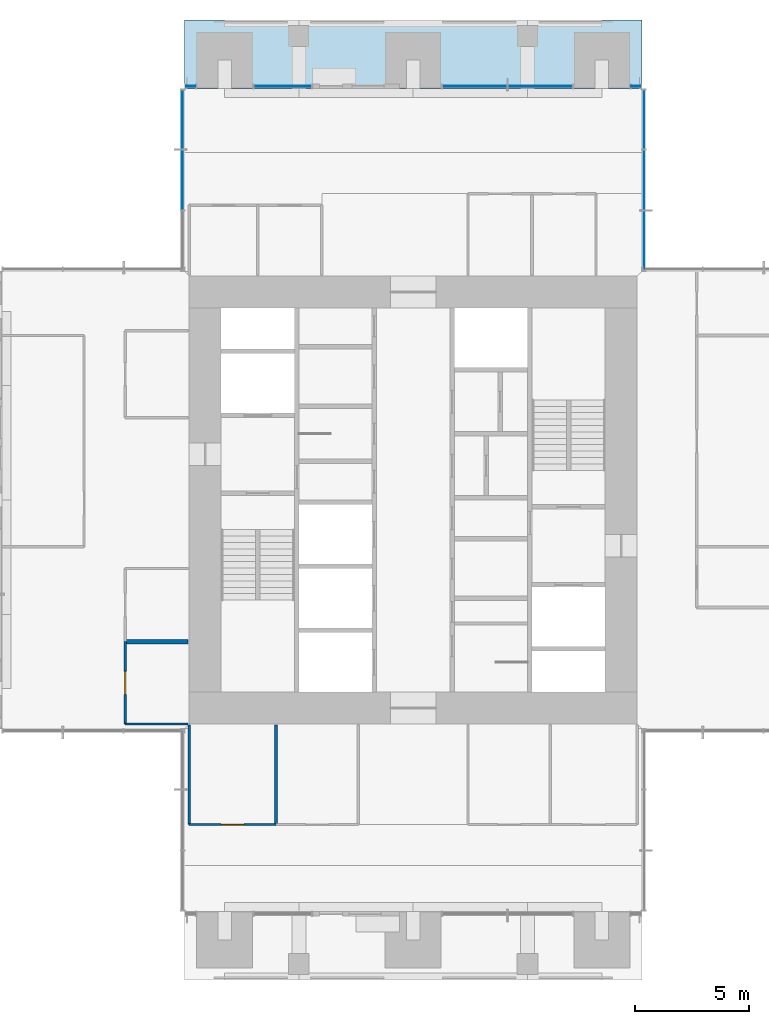
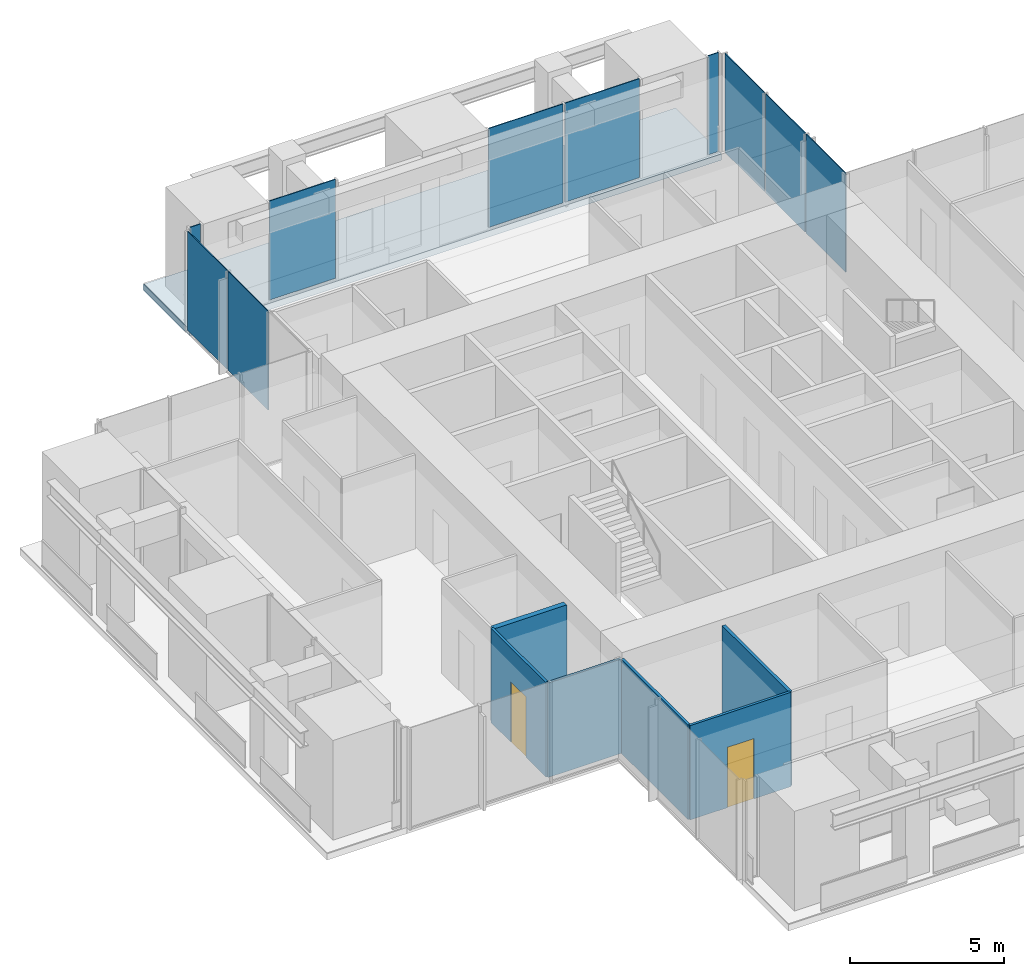
# One storey, part 11 of 17: 10 plates, 6 walls, 2 doors, 1 slab, 2 openings, 6 elements without a shape of their own.
"""IFC4 building model written with IfcOpenShell, lengths in metres."""

from ifc_helpers import new_model, si_unit, direction, frame, frame_2d, origin, origin_2d, place, context, subcontext, project, spatial, polyline, rectangle, outline, extrude, material, layer, layer_set, type_object, element, fill, aggregate, save


model = new_model("IFC4")

# Units and contexts
model_context = context("Model", 3, precision=1e-05, world=origin(), true_north=direction((0.0, 1.0)))
body_context = subcontext(model_context, "Body", "Model", "MODEL_VIEW")
ifc_project = project(units=[si_unit("LENGTHUNIT", "METRE"), si_unit("AREAUNIT", "SQUARE_METRE"), si_unit("VOLUMEUNIT", "CUBIC_METRE"), si_unit("PLANEANGLEUNIT", "RADIAN"), si_unit("MASSUNIT", "GRAM", prefix="KILO")], contexts=[model_context])

# Site, building, storey
site_placement = place(None, origin())
site = spatial("IfcSite", under=ifc_project, at=site_placement, CompositionType="ELEMENT")
building_placement = place(site_placement, origin())
building = spatial("IfcBuilding", under=site, at=building_placement, Name="Svetlomir Tower", CompositionType="ELEMENT")
storey_placement = place(building_placement, frame((0.0, 0.0, 206.5)))
storey = spatial("IfcBuildingStorey", under=building, at=storey_placement, Name="L49", CompositionType="ELEMENT", Elevation=206.5)

# Curtain wall, plates
ifc_material_1 = material(Name="Bronze anodised aluminium curtain wall", Category="aluminium")
curtain_wall_type = type_object("IfcCurtainWallType", Name="CURTAIN WALL CW1 TOWER OFFICE", PredefinedType="NOTDEFINED", material=ifc_material_1)
curtain_wall_1_placement = place(storey_placement, origin())
curtain_wall_1 = element("IfcCurtainWall", 1, at=curtain_wall_1_placement, inside=storey, type_object=curtain_wall_type, Name="Curtain wall CW1 L49", PredefinedType="NOTDEFINED")
ifc_material_2 = material(Name="Tinted double glazed unit", Category="glass")
ifc_layer_1 = layer(ifc_material_2, 0.031982421875)
ifc_layer_set_1 = layer_set([ifc_layer_1], Name="Tinted double glazed unit")
plate_type = type_object("IfcPlateType", Name="CW1 GLAZED PANEL 32", PredefinedType="CURTAIN_PANEL", material=ifc_layer_set_1)
plate_1_placement = place(storey_placement, frame((31.10009765625, 32.349609375, 0.06494140625), z_axis=(0.0, 0.0, 1.0), x_axis=(0.0, 1.0, 0.0)))
plate_1 = element("IfcPlate", 2, at=plate_1_placement, type_object=plate_type, Name="CW1 panel 1.1", PredefinedType="CURTAIN_PANEL", context=body_context, shape_type="SweptSolid", body=[
    extrude(rectangle(XDim=2.569091796875, YDim=0.031982421875, at=origin_2d()), origin(), (0.0, 0.0, 1.0), 3.93505859375),
])
plate_2_placement = place(storey_placement, frame((31.10009765625, 35.0, 0.06494140625), z_axis=(0.0, 0.0, 1.0), x_axis=(0.0, 1.0, 0.0)))
plate_2 = element("IfcPlate", 3, at=plate_2_placement, type_object=plate_type, Name="CW1 panel 2.1", PredefinedType="CURTAIN_PANEL", context=body_context, shape_type="SweptSolid", body=[
    extrude(rectangle(XDim=2.6015625, YDim=0.031982421875, at=origin_2d()), origin(), (0.0, 0.0, 1.0), 3.93505859375),
])
plate_3_placement = place(storey_placement, frame((31.10009765625, 37.650390625, 0.06494140625), z_axis=(0.0, 0.0, 1.0), x_axis=(0.0, 1.0, 0.0)))
plate_3 = element("IfcPlate", 4, at=plate_3_placement, type_object=plate_type, Name="CW1 panel 3.1", PredefinedType="CURTAIN_PANEL", context=body_context, shape_type="SweptSolid", body=[
    extrude(rectangle(XDim=2.569091796875, YDim=0.031982421875, at=origin_2d()), origin(), (0.0, 0.0, 1.0), 3.93505859375),
])
aggregate(curtain_wall_1, [plate_1, plate_2, plate_3])

# Curtain wall, plate
curtain_wall_2_placement = place(storey_placement, origin())
curtain_wall_2 = element("IfcCurtainWall", 5, at=curtain_wall_2_placement, inside=storey, type_object=curtain_wall_type, Name="Curtain wall CW1 L49", PredefinedType="NOTDEFINED")
plate_4_placement = place(storey_placement, frame((30.737548828125, 39.10009765625, 0.06494140625), z_axis=(0.0, 0.0, 1.0), x_axis=(-1.0, 0.0, 0.0)))
plate_4 = element("IfcPlate", 6, at=plate_4_placement, type_object=plate_type, Name="CW1 panel 1.1", PredefinedType="CURTAIN_PANEL", context=body_context, shape_type="SweptSolid", body=[
    extrude(rectangle(XDim=0.39501953125, YDim=0.031982421875, at=origin_2d()), origin(), (0.0, 0.0, 1.0), 3.93505859375),
])
aggregate(curtain_wall_2, [plate_4])

# Curtain wall, plates
curtain_wall_3_placement = place(storey_placement, origin())
curtain_wall_3 = element("IfcCurtainWall", 7, at=curtain_wall_3_placement, inside=storey, type_object=curtain_wall_type, Name="Curtain wall CW1 L49", PredefinedType="NOTDEFINED")
plate_5_placement = place(storey_placement, frame((26.558837890625, 39.10009765625, 0.06494140625), z_axis=(0.0, 0.0, 1.0), x_axis=(-1.0, 0.0, 0.0)))
plate_5 = element("IfcPlate", 8, at=plate_5_placement, type_object=plate_type, Name="CW1 panel 1.1", PredefinedType="CURTAIN_PANEL", context=body_context, shape_type="SweptSolid", body=[
    extrude(rectangle(XDim=2.802490234375, YDim=0.031982421875, at=origin_2d()), origin(), (0.0, 0.0, 1.0), 3.93505859375),
])
plate_6_placement = place(storey_placement, frame((23.691162109375, 39.10009765625, 0.06494140625), z_axis=(0.0, 0.0, 1.0), x_axis=(-1.0, 0.0, 0.0)))
plate_6 = element("IfcPlate", 9, at=plate_6_placement, type_object=plate_type, Name="CW1 panel 2.1", PredefinedType="CURTAIN_PANEL", context=body_context, shape_type="SweptSolid", body=[
    extrude(rectangle(XDim=2.802490234375, YDim=0.031982421875, at=origin_2d()), origin(), (0.0, 0.0, 1.0), 3.93505859375),
])
aggregate(curtain_wall_3, [plate_5, plate_6])

# Curtain wall, plate
curtain_wall_4_placement = place(storey_placement, origin())
curtain_wall_4 = element("IfcCurtainWall", 10, at=curtain_wall_4_placement, inside=storey, type_object=curtain_wall_type, Name="Curtain wall CW1 L49", PredefinedType="NOTDEFINED")
plate_7_placement = place(storey_placement, frame((15.28759765625, 39.10009765625, 0.06494140625), z_axis=(0.0, 0.0, 1.0), x_axis=(-1.0, 0.0, 0.0)))
plate_7 = element("IfcPlate", 11, at=plate_7_placement, type_object=plate_type, Name="CW1 panel 1.1", PredefinedType="CURTAIN_PANEL", context=body_context, shape_type="SweptSolid", body=[
    extrude(rectangle(XDim=2.4951171875, YDim=0.031982421875, at=origin_2d()), origin(), (0.0, 0.0, 1.0), 3.93505859375),
])
aggregate(curtain_wall_4, [plate_7])

curtain_wall_5_placement = place(storey_placement, origin())
curtain_wall_5 = element("IfcCurtainWall", 12, at=curtain_wall_5_placement, inside=storey, type_object=curtain_wall_type, Name="Curtain wall CW1 L49", PredefinedType="NOTDEFINED")
plate_8_placement = place(storey_placement, frame((11.262451171875, 39.10009765625, 0.06494140625), z_axis=(0.0, 0.0, 1.0), x_axis=(-1.0, 0.0, 0.0)))
plate_8 = element("IfcPlate", 13, at=plate_8_placement, type_object=plate_type, Name="CW1 panel 1.1", PredefinedType="CURTAIN_PANEL", context=body_context, shape_type="SweptSolid", body=[
    extrude(rectangle(XDim=0.39501953125, YDim=0.031982421875, at=origin_2d()), origin(), (0.0, 0.0, 1.0), 3.93505859375),
])
aggregate(curtain_wall_5, [plate_8])

# Curtain wall, plates
curtain_wall_6_placement = place(storey_placement, origin())
curtain_wall_6 = element("IfcCurtainWall", 14, at=curtain_wall_6_placement, inside=storey, type_object=curtain_wall_type, Name="Curtain wall CW1 L49", PredefinedType="NOTDEFINED")
plate_9_placement = place(storey_placement, frame((10.89990234375, 37.650390625, 0.06494140625), z_axis=(0.0, 0.0, 1.0), x_axis=(0.0, -1.0, 0.0)))
plate_9 = element("IfcPlate", 15, at=plate_9_placement, type_object=plate_type, Name="CW1 panel 1.1", PredefinedType="CURTAIN_PANEL", context=body_context, shape_type="SweptSolid", body=[
    extrude(rectangle(XDim=2.569091796875, YDim=0.031982421875, at=origin_2d()), origin(), (0.0, 0.0, 1.0), 3.93505859375),
])
plate_10_placement = place(storey_placement, frame((10.89990234375, 35.0, 0.06494140625), z_axis=(0.0, 0.0, 1.0), x_axis=(0.0, -1.0, 0.0)))
plate_10 = element("IfcPlate", 16, at=plate_10_placement, type_object=plate_type, Name="CW1 panel 2.1", PredefinedType="CURTAIN_PANEL", context=body_context, shape_type="SweptSolid", body=[
    extrude(rectangle(XDim=2.6015625, YDim=0.031982421875, at=origin_2d()), origin(), (0.0, 0.0, 1.0), 3.93505859375),
])
aggregate(curtain_wall_6, [plate_9, plate_10])

# Slab
ifc_material_3 = material(Name="Concrete C60/75", Category="concrete")
ifc_layer_2 = layer(ifc_material_3, 0.25)
ifc_layer_set_2 = layer_set([ifc_layer_2], Name="Concrete C60/75")
slab_type = type_object("IfcSlabType", Name="PLANTED LOGGIA SLAB 250", PredefinedType="FLOOR", material=ifc_layer_set_2)
slab_placement = place(storey_placement, frame((0.0, 0.0, -0.25)))
element("IfcSlab", 17, at=slab_placement, inside=storey, type_object=slab_type, Name="L49 N planted loggia", PredefinedType="FLOOR", context=body_context, shape_type="SweptSolid", body=[
    extrude(outline(polyline([(11.0, 39.0), (31.0, 39.0), (31.0, 42.0), (11.0, 42.0), (11.0, 39.0)])), origin(), (0.0, 0.0, 1.0), 0.25),
])

# Wall
ifc_material_4 = material(Name="Gypsum board on twin steel studs", Category="steel")
ifc_layer_3 = layer(ifc_material_4, 0.199951171875)
ifc_layer_set_3 = layer_set([ifc_layer_3], Name="Gypsum board on twin steel studs")
wall_type_1 = type_object("IfcWallType", Name="ACOUSTIC PARTITION 200", PredefinedType="PARTITIONING", material=ifc_layer_set_3)
wall_1_placement = place(storey_placement, frame((8.39990234375, 14.800048828125, 0.0), z_axis=(0.0, 0.0, 1.0), x_axis=(1.0, 0.0, 0.0)))
element("IfcWall", 18, at=wall_1_placement, inside=storey, type_object=wall_type_1, Name="Acoustic partition L49", PredefinedType="PARTITIONING", context=body_context, shape_type="SweptSolid", body=[
    extrude(rectangle(XDim=2.75, YDim=0.199951171875, at=frame_2d((1.375, 0.0))), origin(), (0.0, 0.0, 1.0), 3.75),
])

# Wall, opening, door
ifc_material_5 = material(Name="Framed laminated glass partition", Category="glass")
ifc_layer_4 = layer(ifc_material_5, 0.10009765625)
ifc_layer_set_4 = layer_set([ifc_layer_4], Name="Framed laminated glass partition")
wall_type_2 = type_object("IfcWallType", Name="GLAZED PARTITION 100", PredefinedType="PARTITIONING", material=ifc_layer_set_4)
wall_2_placement = place(storey_placement, frame((8.39990234375, 11.199951171875, 0.0), z_axis=(0.0, 0.0, 1.0), x_axis=(0.0, 1.0, 0.0)))
wall_2 = element("IfcWall", 19, at=wall_2_placement, inside=storey, type_object=wall_type_2, Name="Glazed partition L49", PredefinedType="PARTITIONING", context=body_context, shape_type="SweptSolid", body=[
    extrude(rectangle(XDim=3.60009765625, YDim=0.10009765625, at=frame_2d((1.800048828125, 0.0))), origin(), (0.0, 0.0, 1.0), 3.75),
])
opening_1_placement = place(wall_2_placement, frame((1.300048828125, 0.0, 0.0)))
opening_1 = element("IfcOpeningElement", 20, at=opening_1_placement, cuts=wall_2, Name="Opening DG", PredefinedType="OPENING", context=body_context, shape_type="SweptSolid", body=[
    extrude(rectangle(XDim=1.0, YDim=2.39990234375, at=frame_2d((0.5, 1.199951171875))), frame((0.0, 0.06005859375, 0.0), z_axis=(0.0, -1.0, 0.0), x_axis=(1.0, 0.0, 0.0)), (0.0, 0.0, 1.0), 0.1201171875),
])
ifc_material_6 = material(Name="Framed laminated glass door", Category="glass")
door_type = type_object("IfcDoorType", Name="GLAZED DOOR DG 1000x2400", OperationType="SINGLE_SWING_LEFT", PredefinedType="DOOR", material=ifc_material_6)
door_1_placement = place(opening_1_placement, origin())
door_1 = element("IfcDoor", 21, at=door_1_placement, inside=storey, type_object=door_type, Name="Meeting room, 6 seats door L49", OperationType="SINGLE_SWING_RIGHT", OverallHeight=2.39990234375, OverallWidth=1.0, PredefinedType="DOOR", context=body_context, shape_type="SweptSolid", body=[
    extrude(rectangle(XDim=1.0, YDim=2.39990234375, at=frame_2d((0.5, 1.199951171875))), frame((0.0, 0.02490234375, 0.0), z_axis=(0.0, -1.0, 0.0), x_axis=(1.0, 0.0, 0.0)), (0.0, 0.0, 1.0), 0.050048828125),
])
fill(opening_1, door_1)

# Walls
wall_3_placement = place(storey_placement, frame((8.39990234375, 11.199951171875, 0.0), z_axis=(0.0, 0.0, 1.0), x_axis=(1.0, 0.0, 0.0)))
element("IfcWall", 22, at=wall_3_placement, inside=storey, type_object=wall_type_2, Name="Glazed partition L49", PredefinedType="PARTITIONING", context=body_context, shape_type="SweptSolid", body=[
    extrude(rectangle(XDim=2.75, YDim=0.10009765625, at=frame_2d((1.375, 0.0))), origin(), (0.0, 0.0, 1.0), 3.75),
])
wall_4_placement = place(storey_placement, frame((11.199951171875, 6.800048828125, 0.0), z_axis=(0.0, 0.0, 1.0), x_axis=(0.0, 1.0, 0.0)))
element("IfcWall", 23, at=wall_4_placement, inside=storey, type_object=wall_type_2, Name="Glazed partition L49", PredefinedType="PARTITIONING", context=body_context, shape_type="SweptSolid", body=[
    extrude(rectangle(XDim=4.349853515625, YDim=0.10009765625, at=frame_2d((2.1748046875, 0.0))), origin(), (0.0, 0.0, 1.0), 3.75),
])

# Wall, opening, door
wall_5_placement = place(storey_placement, frame((11.199951171875, 6.800048828125, 0.0), z_axis=(0.0, 0.0, 1.0), x_axis=(1.0, 0.0, 0.0)))
wall_5 = element("IfcWall", 24, at=wall_5_placement, inside=storey, type_object=wall_type_2, Name="Glazed partition L49", PredefinedType="PARTITIONING", context=body_context, shape_type="SweptSolid", body=[
    extrude(rectangle(XDim=3.800048828125, YDim=0.10009765625, at=frame_2d((1.89990234375, 0.0))), origin(), (0.0, 0.0, 1.0), 3.75),
])
opening_2_placement = place(wall_5_placement, frame((1.39990234375, 0.0, 0.0)))
opening_2 = element("IfcOpeningElement", 25, at=opening_2_placement, cuts=wall_5, Name="Opening DG", PredefinedType="OPENING", context=body_context, shape_type="SweptSolid", body=[
    extrude(rectangle(XDim=1.0, YDim=2.39990234375, at=frame_2d((0.5, 1.199951171875))), frame((0.0, 0.06005859375, 0.0), z_axis=(0.0, -1.0, 0.0), x_axis=(1.0, 0.0, 0.0)), (0.0, 0.0, 1.0), 0.1201171875),
])
door_2_placement = place(opening_2_placement, origin())
door_2 = element("IfcDoor", 26, at=door_2_placement, inside=storey, type_object=door_type, Name="Squad room 1 door L49", OperationType="SINGLE_SWING_LEFT", OverallHeight=2.39990234375, OverallWidth=1.0, PredefinedType="DOOR", context=body_context, shape_type="SweptSolid", body=[
    extrude(rectangle(XDim=1.0, YDim=2.39990234375, at=frame_2d((0.5, 1.199951171875))), frame((0.0, 0.02490234375, 0.0), z_axis=(0.0, -1.0, 0.0), x_axis=(1.0, 0.0, 0.0)), (0.0, 0.0, 1.0), 0.050048828125),
])
fill(opening_2, door_2)

# Wall
ifc_material_7 = material(Name="Gypsum board on steel studs", Category="steel")
ifc_layer_5 = layer(ifc_material_7, 0.1201171875)
ifc_layer_set_5 = layer_set([ifc_layer_5], Name="Gypsum board on steel studs")
wall_type_3 = type_object("IfcWallType", Name="PARTITION 120", PredefinedType="PARTITIONING", material=ifc_layer_set_5)
wall_6_placement = place(storey_placement, frame((15.0, 6.800048828125, 0.0), z_axis=(0.0, 0.0, 1.0), x_axis=(0.0, 1.0, 0.0)))
element("IfcWall", 27, at=wall_6_placement, inside=storey, type_object=wall_type_3, Name="Partition L49", PredefinedType="PARTITIONING", context=body_context, shape_type="SweptSolid", body=[
    extrude(rectangle(XDim=4.349853515625, YDim=0.1201171875, at=frame_2d((2.1748046875, 0.0))), origin(), (0.0, 0.0, 1.0), 3.75),
])

save(model, "model.ifc")
